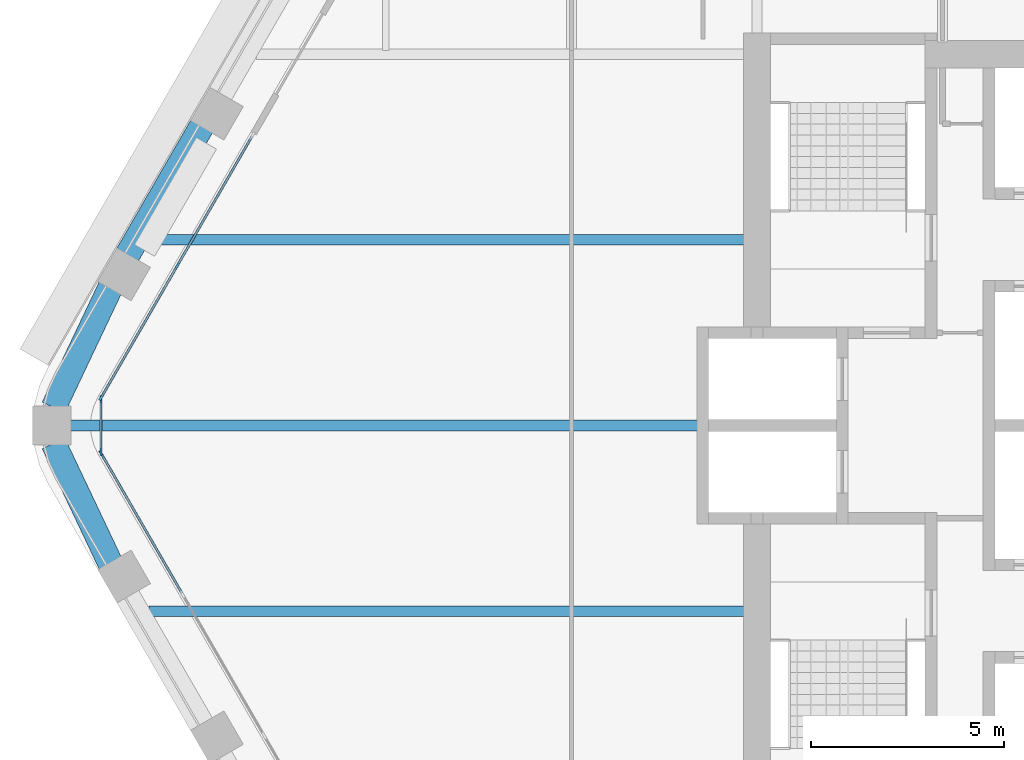
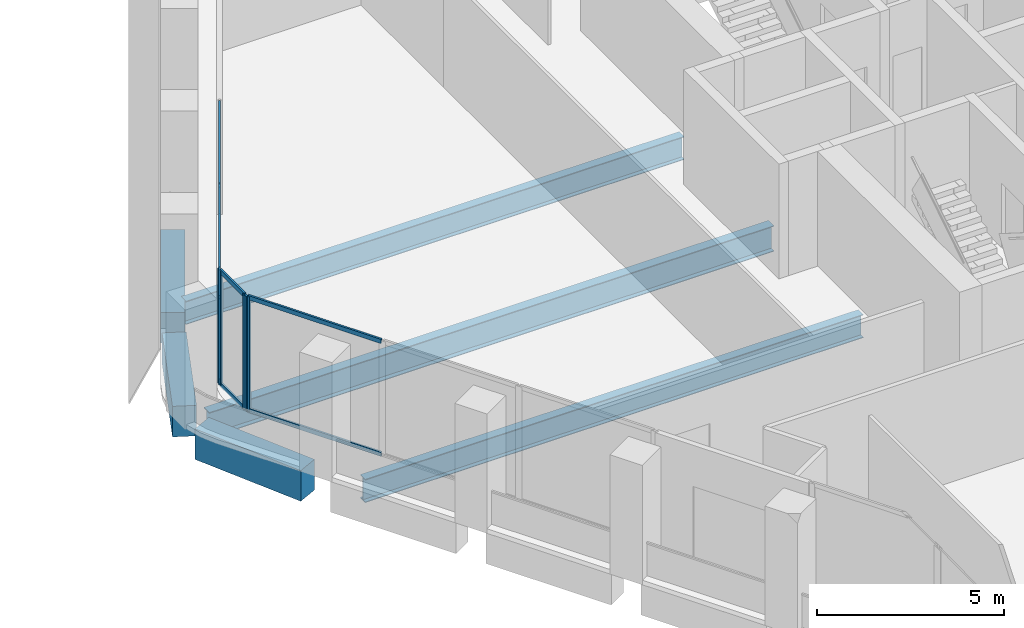
# One storey, part 3 of 17: 13 members, 6 beams, 3 elements without a shape of their own.
"""IFC4 building model written with IfcOpenShell, lengths in metres."""

import ifcopenshell
import ifcopenshell.guid

model = None  # the IFC model being written
_history = None  # IfcOwnerHistory: only IFC2X3 demands one
_inside = {}  # id of a spatial element -> (the spatial element, [elements in it])
_under = {}  # id of a project, library or spatial element -> (it, [spatial elements below it])
_declared = {}  # id of a project -> (the project, [libraries it declares])
_typed = {}  # id of a type object -> (the type object, [elements of that type])
_made_of = {}  # id of a material, layer set ... -> (it, [elements and type objects made of it])


def new_model(schema):
    """Start an empty IFC model of exactly this schema.

    Asked for "IFC4X3", IfcOpenShell would pick the latest addendum, in which some entities
    have other attributes; the version numbers below select the first issue.
    IFC2X3 requires an IfcOwnerHistory on every rooted entity: one is made here for all.
    """
    global model, _history
    if schema == "IFC4X3":
        model = ifcopenshell.file(schema_version=(4, 3, 0, 0))
    else:
        model = ifcopenshell.file(schema=schema)
    _inside.clear()
    _under.clear()
    _declared.clear()
    _typed.clear()
    _made_of.clear()
    _history = None
    if model.schema == "IFC2X3":
        org = make("IfcOrganization", Name="unknown")
        user = make(
            "IfcPersonAndOrganization",
            ThePerson=make("IfcPerson", FamilyName="unknown"),
            TheOrganization=org,
        )
        app = make(
            "IfcApplication",
            ApplicationDeveloper=org,
            Version="unknown",
            ApplicationFullName="unknown",
            ApplicationIdentifier="unknown",
        )
        _history = make(
            "IfcOwnerHistory",
            OwningUser=user,
            OwningApplication=app,
            ChangeAction="ADDED",
            CreationDate=0,
        )
    return model


def make(cls, **values):
    """One entity of the class cls with the attributes given. An attribute that is None is left unset."""
    return model.create_entity(
        cls, **{name: value for name, value in values.items() if value is not None}
    )


def rooted(cls, **values):
    """An entity with a GlobalId (a new one), such as an element, a storey or a relation."""
    return make(cls, GlobalId=ifcopenshell.guid.new(), OwnerHistory=_history, **values)


def si_unit(unit_type, name, prefix=None):
    """IfcSIUnit, for example si_unit("LENGTHUNIT", "METRE", prefix="MILLI")."""
    return make("IfcSIUnit", UnitType=unit_type, Prefix=prefix, Name=name)


def assignment(units):
    """IfcUnitAssignment: the units of a project."""
    return None if units is None else make("IfcUnitAssignment", Units=units)


def point(xyz):
    """IfcCartesianPoint."""
    return None if xyz is None else make("IfcCartesianPoint", Coordinates=xyz)


def direction(xyz):
    """IfcDirection."""
    return None if xyz is None else make("IfcDirection", DirectionRatios=xyz)


def frame(location, z_axis=None, x_axis=None):
    """IfcAxis2Placement3D, a coordinate frame: its origin and axes. An axis left out is left unset."""
    return make(
        "IfcAxis2Placement3D",
        Location=point(location),
        Axis=direction(z_axis),
        RefDirection=direction(x_axis),
    )


def frame_2d(location, x_axis=None):
    """IfcAxis2Placement2D, a coordinate frame in the plane: its origin and x axis."""
    return make(
        "IfcAxis2Placement2D", Location=point(location), RefDirection=direction(x_axis)
    )


def origin():
    """The frame at (0, 0, 0) with its axes left unset."""
    return frame((0.0, 0.0, 0.0))


def origin_2d():
    """The frame at (0, 0) in the plane with its x axis left unset."""
    return frame_2d((0.0, 0.0))


def place(relative_to, where):
    """IfcLocalPlacement: puts the frame where relative to a parent placement (None: the world)."""
    return make(
        "IfcLocalPlacement", PlacementRelTo=relative_to, RelativePlacement=where
    )


def context(
    kind, dimensions, precision=None, world=None, true_north=None, identifier=None
):
    """IfcGeometricRepresentationContext, for example the 3D "Model" context."""
    return make(
        "IfcGeometricRepresentationContext",
        ContextIdentifier=identifier,
        ContextType=kind,
        CoordinateSpaceDimension=dimensions,
        Precision=precision,
        WorldCoordinateSystem=world,
        TrueNorth=true_north,
    )


def subcontext(parent, identifier, kind, view, scale=None):
    """IfcGeometricRepresentationSubContext, for example "Body" below "Model"."""
    return make(
        "IfcGeometricRepresentationSubContext",
        ContextIdentifier=identifier,
        ContextType=kind,
        ParentContext=parent,
        TargetScale=scale,
        TargetView=view,
    )


def project(units=None, contexts=None):
    """IfcProject with its units and contexts."""
    return rooted(
        "IfcProject",
        Name="project",
        RepresentationContexts=contexts,
        UnitsInContext=assignment(units),
    )


def spatial(cls, under=None, at=None, **own):
    """A site, building, storey or space (cls), placed at a placement, below another one or the project."""
    s = rooted(cls, ObjectPlacement=at, **own)
    if under is not None:
        _under.setdefault(under.id(), (under, []))[1].append(s)
    return s


def profile(cls, at=None, kind="AREA", **sizes):
    """A parametric profile (cls). Its sizes go by their IFC names, for example OverallWidth=200.0."""
    return make(cls, ProfileType=kind, Position=at, **sizes)


def rectangle(**sizes):
    """IfcRectangleProfileDef."""
    return profile("IfcRectangleProfileDef", **sizes)


def i_section(**sizes):
    """IfcIShapeProfileDef."""
    return profile("IfcIShapeProfileDef", **sizes)


def extrude(swept, where, along, depth):
    """IfcExtrudedAreaSolid: the profile swept, set in the frame where, extruded along a direction by depth."""
    return make(
        "IfcExtrudedAreaSolid",
        SweptArea=swept,
        Position=where,
        ExtrudedDirection=direction(along),
        Depth=depth,
    )


def shape(context_of_items, identifier, shape_type, items):
    """IfcShapeRepresentation: the items that make up one representation, for example the "Body"."""
    return make(
        "IfcShapeRepresentation",
        ContextOfItems=context_of_items,
        RepresentationIdentifier=identifier,
        RepresentationType=shape_type,
        Items=items,
    )


def material(Name=None, Category=None):
    """IfcMaterial."""
    return make("IfcMaterial", Name=Name, Category=Category)


def material_profile(
    of_material, cross_section, Name=None, Category=None, Priority=None
):
    """IfcMaterialProfile: a cross section and its material."""
    return make(
        "IfcMaterialProfile",
        Name=Name,
        Material=of_material,
        Profile=cross_section,
        Priority=Priority,
        Category=Category,
    )


def profile_set(profiles, Name=None, composite=None):
    """IfcMaterialProfileSet."""
    return make(
        "IfcMaterialProfileSet",
        Name=Name,
        MaterialProfiles=profiles,
        CompositeProfile=composite,
    )


def made_of(thing, what):
    """Note that an element or type object is made of a material, layer set ...; save() writes the relation."""
    if what is not None:
        _made_of.setdefault(what.id(), (what, []))[1].append(thing)
    return thing


def type_object(cls, material=None, **own):
    """A type object (cls), such as IfcWallType, which elements share."""
    return made_of(rooted(cls, **own), material)


def element(
    cls,
    number,
    at=None,
    inside=None,
    cuts=None,
    type_object=None,
    material=None,
    context=None,
    identifier="Body",
    shape_type=None,
    held_by="IfcProductDefinitionShape",
    body=None,
    shapes=None,
    **own,
):
    """One element of the class cls, such as IfcWall. Its Tag is "e" and its number.

    at: its placement. inside: the storey or other place that contains it. cuts: it is an
    opening in that element (IfcRelVoidsElement). A single representation is given by context,
    identifier, shape_type and body (its items); several are given by shapes. held_by: the class
    of the entity that holds the representations. save() writes the other relations.
    """
    e = rooted(cls, Tag="e%d" % number, ObjectPlacement=at, **own)
    if body is not None:
        shapes = [shape(context, identifier, shape_type, body)]
    if shapes is not None:
        e.Representation = make(held_by, Representations=shapes)
    if inside is not None:
        _inside.setdefault(inside.id(), (inside, []))[1].append(e)
    if cuts is not None:
        rooted(
            "IfcRelVoidsElement", RelatingBuildingElement=cuts, RelatedOpeningElement=e
        )
    if type_object is not None:
        _typed.setdefault(type_object.id(), (type_object, []))[1].append(e)
    return made_of(e, material)


def aggregate(whole, parts):
    """IfcRelAggregates: a whole, such as a stair, and the parts it consists of."""
    return rooted("IfcRelAggregates", RelatingObject=whole, RelatedObjects=parts)


def save(model, path):
    """Write the relations noted so far, then the file.

    IfcRelAggregates (storeys below a building ...), IfcRelContainedInSpatialStructure (elements
    in a storey), IfcRelDefinesByType, IfcRelAssociatesMaterial and IfcRelDeclares: one each for
    every whole, place, type object, material and project.
    """
    for whole, parts in _under.values():
        aggregate(whole, parts)
    for where, things in _inside.values():
        rooted(
            "IfcRelContainedInSpatialStructure",
            RelatedElements=things,
            RelatingStructure=where,
        )
    for kind, things in _typed.values():
        rooted("IfcRelDefinesByType", RelatedObjects=things, RelatingType=kind)
    for what, things in _made_of.values():
        rooted("IfcRelAssociatesMaterial", RelatedObjects=things, RelatingMaterial=what)
    for by, libraries in _declared.values():
        rooted("IfcRelDeclares", RelatingContext=by, RelatedDefinitions=libraries)
    model.write(path)


model = new_model("IFC4")

# Units and contexts
model_context = context("Model", 3, precision=1e-05, world=origin(), true_north=direction((0.0, 1.0)))
body_context = subcontext(model_context, "Body", "Model", "MODEL_VIEW")
ifc_project = project(units=[si_unit("LENGTHUNIT", "METRE"), si_unit("AREAUNIT", "SQUARE_METRE"), si_unit("VOLUMEUNIT", "CUBIC_METRE"), si_unit("PLANEANGLEUNIT", "RADIAN"), si_unit("MASSUNIT", "GRAM", prefix="KILO")], contexts=[model_context])

# Site, building, storey
site_placement = place(None, origin())
site = spatial("IfcSite", under=ifc_project, at=site_placement, CompositionType="ELEMENT")
building_placement = place(site_placement, origin())
building = spatial("IfcBuilding", under=site, at=building_placement, Name="Kolab Exchange Tower", CompositionType="ELEMENT")
storey_placement = place(building_placement, frame((0.0, 0.0, 166.10009765625)))
storey = spatial("IfcBuildingStorey", under=building, at=storey_placement, Name="L34", CompositionType="ELEMENT", Elevation=166.10009765625)

# Beams
ifc_material_1 = material(Name="Steel S355", Category="steel")
ifc_material_profile_1 = material_profile(ifc_material_1, i_section(OverallWidth=0.26708984375, OverallDepth=0.761962890625, WebThickness=0.014404296875, FlangeThickness=0.021484375, at=origin_2d()), Name="W760X173")
ifc_profile_set_1 = profile_set([ifc_material_profile_1], Name="Steel S355")
beam_type_1 = type_object("IfcBeamType", Name="FLOOR BEAM W760X173", PredefinedType="BEAM", material=ifc_profile_set_1)
for number, where, z_axis, x_axis, name in (
    (1, (-25.318115234375, -4.800048828125, -0.531005859375), (1.0, 0.0, 0.0), (0.0, 1.0, 0.0), "beam/L34/fr/001"),
    (2, (-25.318115234375, 4.800048828125, -0.531005859375), (1.0, 0.0, 0.0), (0.0, 1.0, 0.0), "beam/L34/fr/002"),
):
    element("IfcBeam", number, at=place(storey_placement, frame(where, z_axis=z_axis, x_axis=x_axis)), inside=storey, type_object=beam_type_1, Name=name, PredefinedType="BEAM", context=body_context, shape_type="SweptSolid", body=[
        extrude(i_section(OverallWidth=0.26708984375, OverallDepth=0.761962890625, WebThickness=0.014404296875, FlangeThickness=0.021484375, at=origin_2d()), origin(), (0.0, 0.0, 1.0), 15.408203125),
    ])
ifc_material_profile_2 = material_profile(ifc_material_1, i_section(OverallWidth=0.2919921875, OverallDepth=0.840087890625, WebThickness=0.0146484375, FlangeThickness=0.021728515625, at=origin_2d()), Name="W840X193")
ifc_profile_set_2 = profile_set([ifc_material_profile_2], Name="Steel S355")
beam_type_2 = type_object("IfcBeamType", Name="FLOOR BEAM W840X193", PredefinedType="BEAM", material=ifc_profile_set_2)
beam_1_placement = place(storey_placement, frame((-27.3759765625, 0.0, -0.570068359375), z_axis=(1.0, 0.0, 0.0), x_axis=(0.0, 1.0, 0.0)))
element("IfcBeam", 3, at=beam_1_placement, inside=storey, type_object=beam_type_2, Name="beam/L34/fr/000", PredefinedType="BEAM", context=body_context, shape_type="SweptSolid", body=[
    extrude(i_section(OverallWidth=0.2919921875, OverallDepth=0.840087890625, WebThickness=0.0146484375, FlangeThickness=0.021728515625, at=origin_2d()), origin(), (0.0, 0.0, 1.0), 17.466064453125),
])
ifc_material_2 = material(Name="Concrete C60/75", Category="concrete")
ifc_material_profile_3 = material_profile(ifc_material_2, rectangle(XDim=0.64990234375, YDim=1.0, at=origin_2d()), Name="RC650X1000")
ifc_profile_set_3 = profile_set([ifc_material_profile_3], Name="Concrete C60/75")
beam_type_3 = type_object("IfcBeamType", Name="SPANDREL BEAM 650X1000 C60/75", PredefinedType="BEAM", material=ifc_profile_set_3)
for number, where, z_axis, x_axis, name in (
    (4, (-26.316162109375, -3.5771484375, -0.650146484375), (-0.428177731975, 0.903694544545, 0.0), (-0.903694544545, -0.428177731975, 0.0), "beam/L34/sp/F5-06"),
    (5, (-27.791259765625, 0.4638671875, -0.650146484375), (0.428177731975, 0.903694544545, 0.0), (-0.903694544545, 0.428177731975, 0.0), "beam/L34/sp/F6-01"),
):
    element("IfcBeam", number, at=place(storey_placement, frame(where, z_axis=z_axis, x_axis=x_axis)), inside=storey, type_object=beam_type_3, Name=name, PredefinedType="BEAM", context=body_context, shape_type="SweptSolid", body=[
        extrude(rectangle(XDim=0.64990234375, YDim=1.0, at=origin_2d()), origin(), (0.0, 0.0, 1.0), 3.445068359375),
    ])
beam_2_placement = place(storey_placement, frame((-25.888427734375, 4.392822265625, -0.650146484375), z_axis=(0.499996613652, 0.866027358884, 0.0), x_axis=(-0.866027358884, 0.499996613652, 0.0)))
element("IfcBeam", 6, at=beam_2_placement, inside=storey, type_object=beam_type_3, Name="beam/L34/sp/F6-02", PredefinedType="BEAM", context=body_context, shape_type="SweptSolid", body=[
    extrude(rectangle(XDim=0.64990234375, YDim=1.0, at=origin_2d()), origin(), (0.0, 0.0, 1.0), 3.8798828125),
])

# Curtain wall, member
ifc_material_3 = material(Name="Aluminium EN AW-6063 T6", Category="aluminium")
curtain_wall_type = type_object("IfcCurtainWallType", Name="UNITISED UPPER MID ZONE CURTAIN WALL", PredefinedType="NOTDEFINED", material=ifc_material_3)
curtain_wall_1_placement = place(storey_placement, origin())
curtain_wall_1 = element("IfcCurtainWall", 7, at=curtain_wall_1_placement, inside=storey, type_object=curtain_wall_type, Name="cw/L34/F5-2", PredefinedType="NOTDEFINED")
ifc_material_profile_4 = material_profile(ifc_material_3, rectangle(XDim=0.06005859375, YDim=0.199951171875, at=origin_2d()), Name="RECT 60X200")
ifc_profile_set_4 = profile_set([ifc_material_profile_4], Name="Aluminium EN AW-6063 T6")
member_type_1 = type_object("IfcMemberType", Name="UNITISED UPPER MID ZONE MULLION 60 X 200", PredefinedType="MULLION", material=ifc_profile_set_4)
member_1_placement = place(storey_placement, frame((-26.550537109375, -0.736083984375, 0.0), z_axis=(0.0, 0.0, 1.0), x_axis=(-0.866025427826, -0.499999958358, 0.0)))
member_1 = element("IfcMember", 8, at=member_1_placement, type_object=member_type_1, Name="CW3 mullion 4", PredefinedType="MULLION", context=body_context, shape_type="SweptSolid", body=[
    extrude(rectangle(XDim=0.06005859375, YDim=0.199951171875, at=origin_2d()), origin(), (0.0, 0.0, 1.0), 3.75),
])

# Curtain wall, members
curtain_wall_2_placement = place(storey_placement, origin())
curtain_wall_2 = element("IfcCurtainWall", 9, at=curtain_wall_2_placement, inside=storey, type_object=curtain_wall_type, Name="cw/L34/F6-1", PredefinedType="NOTDEFINED")
member_2_placement = place(storey_placement, frame((-26.550537109375, 0.736083984375, 0.0), z_axis=(0.0, 0.0, 1.0), x_axis=(-0.866025440524, 0.499999936366, 0.0)))
member_2 = element("IfcMember", 10, at=member_2_placement, type_object=member_type_1, Name="CW3 mullion 1", PredefinedType="MULLION", context=body_context, shape_type="SweptSolid", body=[
    extrude(rectangle(XDim=0.06005859375, YDim=0.199951171875, at=origin_2d()), origin(), (0.0, 0.0, 1.0), 3.75),
])
member_3_placement = place(storey_placement, frame((-24.5986328125, 4.116943359375, 0.0), z_axis=(0.0, 0.0, 1.0), x_axis=(-0.866025440524, 0.499999936366, 0.0)))
member_3 = element("IfcMember", 11, at=member_3_placement, type_object=member_type_1, Name="CW3 mullion 2", PredefinedType="MULLION", context=body_context, shape_type="SweptSolid", body=[
    extrude(rectangle(XDim=0.06005859375, YDim=0.199951171875, at=origin_2d()), origin(), (0.0, 0.0, 1.0), 3.75),
])

curtain_wall_3_placement = place(storey_placement, origin())
curtain_wall_3 = element("IfcCurtainWall", 12, at=curtain_wall_3_placement, inside=storey, type_object=curtain_wall_type, Name="cw/L34/F5F6-corner", PredefinedType="NOTDEFINED")
member_4_placement = place(storey_placement, frame((-26.565673828125, -0.679931640625, 0.0), z_axis=(0.0, 0.0, 1.0), x_axis=(-1.0, 0.0, 0.0)))
member_4 = element("IfcMember", 13, at=member_4_placement, type_object=member_type_1, Name="CW3 mullion 1", PredefinedType="MULLION", context=body_context, shape_type="SweptSolid", body=[
    extrude(rectangle(XDim=0.06005859375, YDim=0.199951171875, at=origin_2d()), origin(), (0.0, 0.0, 1.0), 3.75),
])
member_5_placement = place(storey_placement, frame((-26.565673828125, 0.679931640625, 0.0), z_axis=(0.0, 0.0, 1.0), x_axis=(-1.0, 0.0, 0.0)))
member_5 = element("IfcMember", 14, at=member_5_placement, type_object=member_type_1, Name="CW3 mullion 2", PredefinedType="MULLION", context=body_context, shape_type="SweptSolid", body=[
    extrude(rectangle(XDim=0.06005859375, YDim=0.199951171875, at=origin_2d()), origin(), (0.0, 0.0, 1.0), 3.75),
])

# Member
ifc_material_profile_5 = material_profile(ifc_material_3, rectangle(XDim=0.06005859375, YDim=0.139892578125, at=origin_2d()), Name="RECT 60X140")
ifc_profile_set_5 = profile_set([ifc_material_profile_5], Name="Aluminium EN AW-6063 T6")
member_type_2 = type_object("IfcMemberType", Name="UNITISED UPPER MID ZONE TRANSOM 60 X 140", PredefinedType="USERDEFINED", material=ifc_profile_set_5)
member_6_placement = place(storey_placement, frame((-24.46923828125, -4.3408203125, 0.02978515625), z_axis=(-0.500027577057, 0.866009481578, 0.0), x_axis=(-0.866009481578, -0.500027577057, 0.0)))
member_6 = element("IfcMember", 15, at=member_6_placement, type_object=member_type_2, Name="CW3 transom 3.1", ObjectType="TRANSOM", PredefinedType="USERDEFINED", context=body_context, shape_type="SweptSolid", body=[
    extrude(rectangle(XDim=0.06005859375, YDim=0.139892578125, at=origin_2d()), origin(), (0.0, 0.0, 1.0), 4.132568359375),
])

member_7_placement = place(storey_placement, frame((-24.46923828125, -4.3408203125, 3.719970703125), z_axis=(-0.500027577057, 0.866009481578, 0.0), x_axis=(-0.866009481578, -0.500027577057, 0.0)))
member_7 = element("IfcMember", 16, at=member_7_placement, type_object=member_type_2, Name="CW3 transom 3.2", ObjectType="TRANSOM", PredefinedType="USERDEFINED", context=body_context, shape_type="SweptSolid", body=[
    extrude(rectangle(XDim=0.06005859375, YDim=0.139892578125, at=origin_2d()), origin(), (0.0, 0.0, 1.0), 4.132568359375),
])

aggregate(curtain_wall_1, [member_1, member_6, member_7])

member_8_placement = place(storey_placement, frame((-26.53564453125, 0.761962890625, 0.02978515625), z_axis=(0.499991857942, 0.866030104553, 0.0), x_axis=(-0.866030104553, 0.499991857942, 0.0)))
member_8 = element("IfcMember", 17, at=member_8_placement, type_object=member_type_2, Name="CW3 transom 1.1", ObjectType="TRANSOM", PredefinedType="USERDEFINED", context=body_context, shape_type="SweptSolid", body=[
    extrude(rectangle(XDim=0.06005859375, YDim=0.139892578125, at=origin_2d()), origin(), (0.0, 0.0, 1.0), 3.84375),
])

member_9_placement = place(storey_placement, frame((-26.53564453125, 0.761962890625, 3.719970703125), z_axis=(0.499991857942, 0.866030104553, 0.0), x_axis=(-0.866030104553, 0.499991857942, 0.0)))
member_9 = element("IfcMember", 18, at=member_9_placement, type_object=member_type_2, Name="CW3 transom 1.2", ObjectType="TRANSOM", PredefinedType="USERDEFINED", context=body_context, shape_type="SweptSolid", body=[
    extrude(rectangle(XDim=0.06005859375, YDim=0.139892578125, at=origin_2d()), origin(), (0.0, 0.0, 1.0), 3.84375),
])

member_10_placement = place(storey_placement, frame((-24.583740234375, 4.142822265625, 0.02978515625), z_axis=(0.500011990396, 0.866018481016, 0.0), x_axis=(-0.866018481016, 0.500011990396, 0.0)))
member_10 = element("IfcMember", 19, at=member_10_placement, type_object=member_type_2, Name="CW3 transom 2.1", ObjectType="TRANSOM", PredefinedType="USERDEFINED", context=body_context, shape_type="SweptSolid", body=[
    extrude(rectangle(XDim=0.06005859375, YDim=0.139892578125, at=origin_2d()), origin(), (0.0, 0.0, 1.0), 3.84423828125),
])

member_11_placement = place(storey_placement, frame((-24.583740234375, 4.142822265625, 3.719970703125), z_axis=(0.500011990396, 0.866018481016, 0.0), x_axis=(-0.866018481016, 0.500011990396, 0.0)))
member_11 = element("IfcMember", 20, at=member_11_placement, type_object=member_type_2, Name="CW3 transom 2.2", ObjectType="TRANSOM", PredefinedType="USERDEFINED", context=body_context, shape_type="SweptSolid", body=[
    extrude(rectangle(XDim=0.06005859375, YDim=0.139892578125, at=origin_2d()), origin(), (0.0, 0.0, 1.0), 3.84423828125),
])

aggregate(curtain_wall_2, [member_2, member_3, member_8, member_9, member_10, member_11])

member_12_placement = place(storey_placement, frame((-26.565673828125, -0.64990234375, 0.02978515625), z_axis=(0.0, 1.0, 0.0), x_axis=(-1.0, 0.0, 0.0)))
member_12 = element("IfcMember", 21, at=member_12_placement, type_object=member_type_2, Name="CW3 transom 1.1", ObjectType="TRANSOM", PredefinedType="USERDEFINED", context=body_context, shape_type="SweptSolid", body=[
    extrude(rectangle(XDim=0.06005859375, YDim=0.139892578125, at=origin_2d()), origin(), (0.0, 0.0, 1.0), 1.2998046875),
])

member_13_placement = place(storey_placement, frame((-26.565673828125, -0.64990234375, 3.719970703125), z_axis=(0.0, 1.0, 0.0), x_axis=(-1.0, 0.0, 0.0)))
member_13 = element("IfcMember", 22, at=member_13_placement, type_object=member_type_2, Name="CW3 transom 1.2", ObjectType="TRANSOM", PredefinedType="USERDEFINED", context=body_context, shape_type="SweptSolid", body=[
    extrude(rectangle(XDim=0.06005859375, YDim=0.139892578125, at=origin_2d()), origin(), (0.0, 0.0, 1.0), 1.2998046875),
])

aggregate(curtain_wall_3, [member_4, member_5, member_12, member_13])

save(model, "model.ifc")
